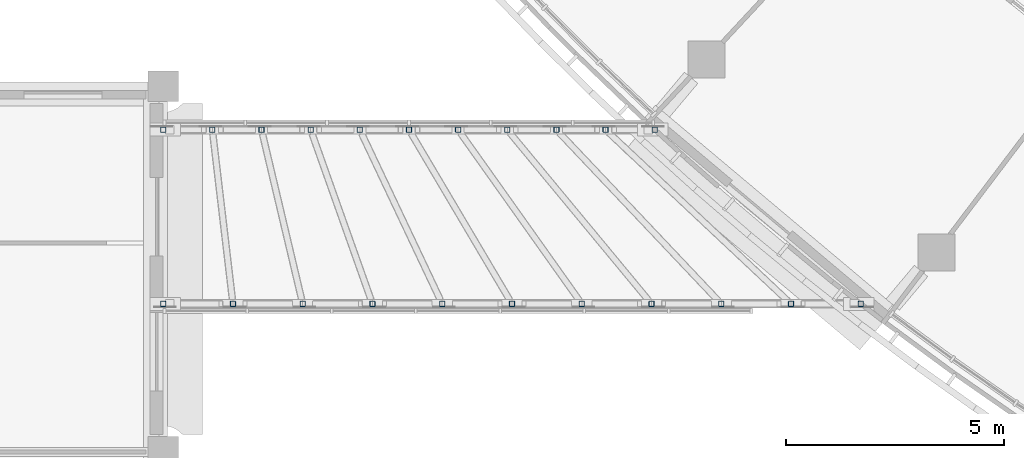
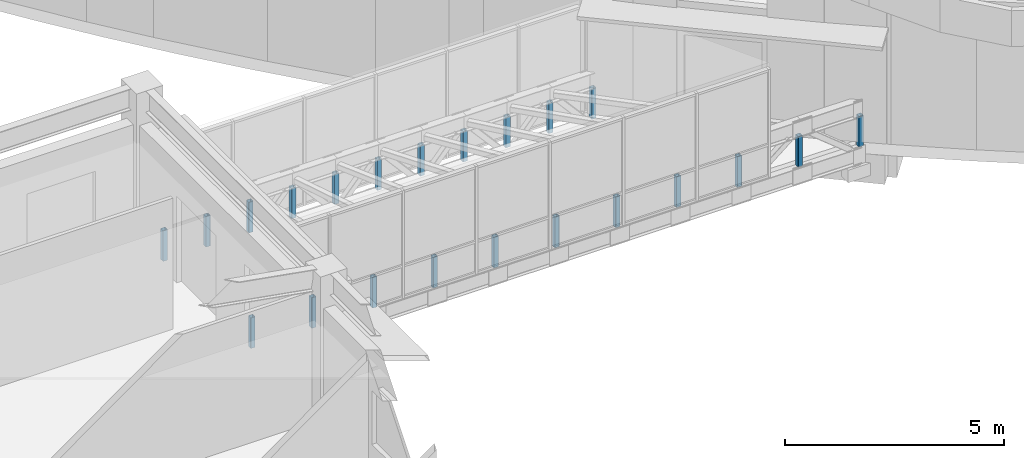
# One storey, part 38 of 136: 22 members.
"""IFC4 building model written with IfcOpenShell, lengths in metres."""

from ifc_helpers import new_model, si_unit, direction, frame, origin, origin_2d, place, context, subcontext, project, spatial, hollow_rectangle, extrude, material, material_profile, profile_set, type_object, element, save


model = new_model("IFC4")

# Units and contexts
model_context = context("Model", 3, precision=1e-05, world=origin(), true_north=direction((0.0, 1.0)))
body_context = subcontext(model_context, "Body", "Model", "MODEL_VIEW")
ifc_project = project(units=[si_unit("LENGTHUNIT", "METRE"), si_unit("AREAUNIT", "SQUARE_METRE"), si_unit("VOLUMEUNIT", "CUBIC_METRE"), si_unit("PLANEANGLEUNIT", "RADIAN"), si_unit("MASSUNIT", "GRAM", prefix="KILO")], contexts=[model_context])

# Site, building, storey
site_placement = place(None, origin())
site = spatial("IfcSite", under=ifc_project, at=site_placement, CompositionType="ELEMENT")
building_placement = place(site_placement, origin())
building = spatial("IfcBuilding", under=site, at=building_placement, Name="Bougainvillea Quay General Hospital", CompositionType="ELEMENT")
storey_placement = place(building_placement, frame((0.0, 0.0, 5.39990234375)))
storey = spatial("IfcBuildingStorey", under=building, at=storey_placement, Name="L01", CompositionType="ELEMENT", Elevation=5.39990234375)

# Members
ifc_material = material(Name="Steel Q355", Category="steel")
ifc_material_profile = material_profile(ifc_material, hollow_rectangle(XDim=0.1201171875, YDim=0.1201171875, WallThickness=0.0048828125, InnerFilletRadius=0.0048828125, OuterFilletRadius=0.010009765625, at=origin_2d()))
ifc_profile_set = profile_set([ifc_material_profile], Name="Steel Q355")
member_type = type_object("IfcMemberType", Name="SHS 120x120x5 Q355 POST", PredefinedType="POST", material=ifc_profile_set)
for number, where, z_axis, x_axis, name in (
    (1, (50.39990234375, 74.60009765625, -0.119873046875), (0.0, 0.0, 1.0), (1.0, 0.0, 0.0), "Truss post"),
    (2, (51.52880859375, 74.60009765625, -0.119873046875), (0.0, 0.0, 1.0), (1.0, 0.0, 0.0), "Truss post"),
    (3, (52.657470703125, 74.60009765625, -0.119873046875), (0.0, 0.0, 1.0), (1.0, 0.0, 0.0), "Truss post"),
    (4, (53.7861328125, 74.60009765625, -0.119873046875), (0.0, 0.0, 1.0), (1.0, 0.0, 0.0), "Truss post"),
    (5, (54.9150390625, 74.60009765625, -0.119873046875), (0.0, 0.0, 1.0), (1.0, 0.0, 0.0), "Truss post"),
    (6, (56.043701171875, 74.60009765625, -0.119873046875), (0.0, 0.0, 1.0), (1.0, 0.0, 0.0), "Truss post"),
    (7, (57.17236328125, 74.60009765625, -0.119873046875), (0.0, 0.0, 1.0), (1.0, 0.0, 0.0), "Truss post"),
    (8, (58.30126953125, 74.60009765625, -0.119873046875), (0.0, 0.0, 1.0), (1.0, 0.0, 0.0), "Truss post"),
    (9, (59.429931640625, 74.60009765625, -0.119873046875), (0.0, 0.0, 1.0), (1.0, 0.0, 0.0), "Truss post"),
    (10, (60.55859375, 74.60009765625, -0.119873046875), (0.0, 0.0, 1.0), (1.0, 0.0, 0.0), "Truss post"),
    (11, (61.6875, 74.60009765625, -0.119873046875), (0.0, 0.0, 1.0), (1.0, 0.0, 0.0), "Truss post"),
    (12, (50.39990234375, 70.60009765625, -0.119873046875), (0.0, 0.0, 1.0), (1.0, 0.0, 0.0), "Truss post"),
    (13, (52.001953125, 70.60009765625, -0.119873046875), (0.0, 0.0, 1.0), (1.0, 0.0, 0.0), "Truss post"),
    (14, (53.60400390625, 70.60009765625, -0.119873046875), (0.0, 0.0, 1.0), (1.0, 0.0, 0.0), "Truss post"),
    (15, (55.205810546875, 70.60009765625, -0.119873046875), (0.0, 0.0, 1.0), (1.0, 0.0, 0.0), "Truss post"),
    (16, (56.807861328125, 70.60009765625, -0.119873046875), (0.0, 0.0, 1.0), (1.0, 0.0, 0.0), "Truss post"),
    (17, (58.40966796875, 70.60009765625, -0.119873046875), (0.0, 0.0, 1.0), (1.0, 0.0, 0.0), "Truss post"),
    (18, (60.01171875, 70.60009765625, -0.119873046875), (0.0, 0.0, 1.0), (1.0, 0.0, 0.0), "Truss post"),
    (19, (61.61376953125, 70.60009765625, -0.119873046875), (0.0, 0.0, 1.0), (1.0, 0.0, 0.0), "Truss post"),
    (20, (63.215576171875, 70.60009765625, -0.119873046875), (0.0, 0.0, 1.0), (1.0, 0.0, 0.0), "Truss post"),
    (21, (64.817626953125, 70.60009765625, -0.119873046875), (0.0, 0.0, 1.0), (1.0, 0.0, 0.0), "Truss post"),
    (22, (66.419677734375, 70.60009765625, -0.119873046875), (0.0, 0.0, 1.0), (1.0, 0.0, 0.0), "Truss post"),
):
    element("IfcMember", number, at=place(storey_placement, frame(where, z_axis=z_axis, x_axis=x_axis)), inside=storey, type_object=member_type, Name=name, PredefinedType="POST", context=body_context, shape_type="SweptSolid", body=[
        extrude(hollow_rectangle(XDim=0.1201171875, YDim=0.1201171875, WallThickness=0.0048828125, InnerFilletRadius=0.0048828125, OuterFilletRadius=0.010009765625, at=origin_2d()), origin(), (0.0, 0.0, 1.0), 0.849853515625),
    ])

save(model, "model.ifc")
